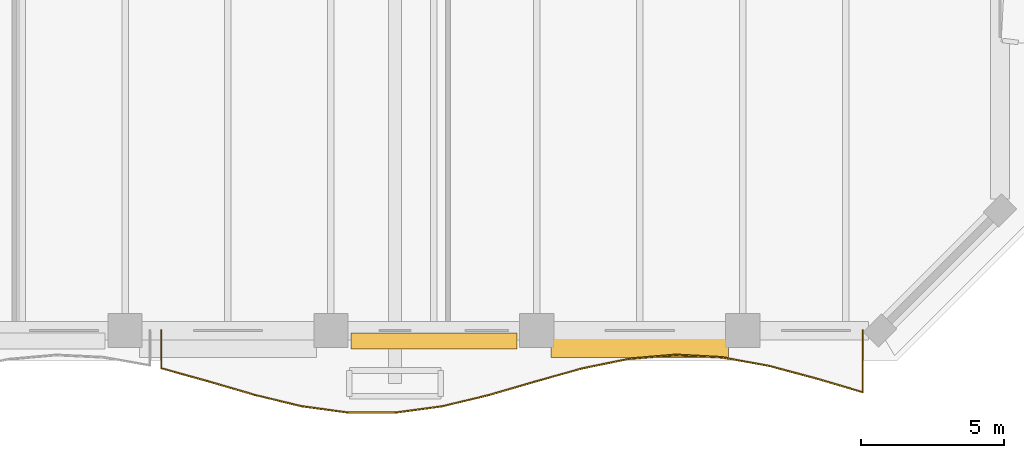
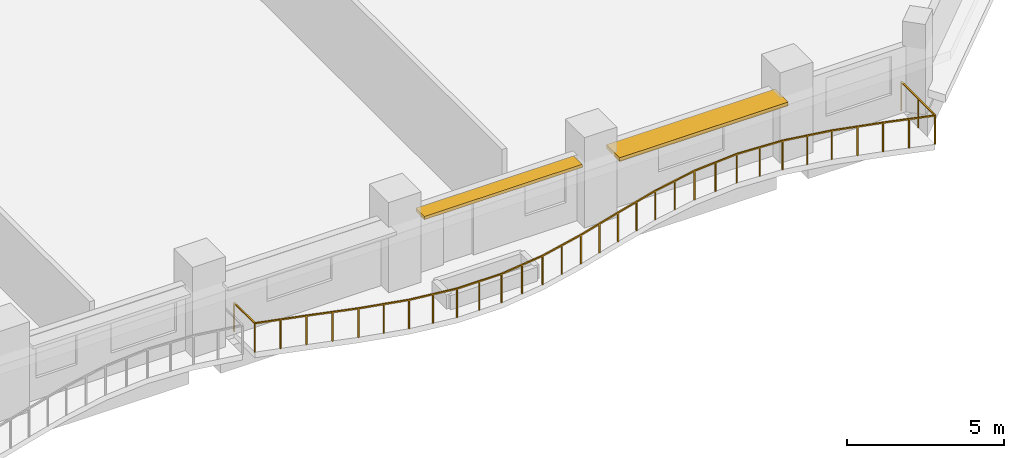
# One storey, part 13 of 14: 2 shading devices, 1 railing.
"""IFC4 building model written with IfcOpenShell, lengths in metres."""

from ifc_helpers import new_model, si_unit, direction, frame, origin, origin_2d, place, context, subcontext, project, spatial, rectangle, extrude, material, layer, layer_set, type_object, element, save


model = new_model("IFC4")

# Units and contexts
model_context = context("Model", 3, precision=1e-05, world=origin(), true_north=direction((0.0, 1.0)))
body_context = subcontext(model_context, "Body", "Model", "MODEL_VIEW")
ifc_project = project(units=[si_unit("LENGTHUNIT", "METRE"), si_unit("AREAUNIT", "SQUARE_METRE"), si_unit("VOLUMEUNIT", "CUBIC_METRE"), si_unit("PLANEANGLEUNIT", "RADIAN"), si_unit("MASSUNIT", "GRAM", prefix="KILO")], contexts=[model_context])

# Site, building, storey
site_placement = place(None, origin())
site = spatial("IfcSite", under=ifc_project, at=site_placement, CompositionType="ELEMENT")
building_placement = place(site_placement, origin())
building = spatial("IfcBuilding", under=site, at=building_placement, Name="Kaelvorn Grand Hotel", CompositionType="ELEMENT")
storey_placement = place(building_placement, frame((0.0, 0.0, 123.050048828125)))
storey = spatial("IfcBuildingStorey", under=building, at=storey_placement, Name="L29", CompositionType="ELEMENT", Elevation=123.050048828125)

# Railing
ifc_material_1 = material(Name="Stainless Steel", Category="steel")
railing_type = type_object("IfcRailingType", Name="RL-BALC-1150", PredefinedType="BALUSTRADE", material=ifc_material_1)
railing_placement = place(storey_placement, frame((54.666748046875, 0.0, 0.0)))
element("IfcRailing", 1, at=railing_placement, inside=storey, type_object=railing_type, Name="L29 Scalloped Wave Balcony Balustrade GR1-3", PredefinedType="BALUSTRADE", context=body_context, shape_type="SweptSolid", body=[
    extrude(rectangle(XDim=0.048095703125, YDim=0.048095703125, at=origin_2d()), frame((0.0, 0.0, 1.1259765625), z_axis=(0.0, -1.0, 0.0), x_axis=(1.0, 0.0, 0.0)), (0.0, 0.0, 1.0), 1.318359375),
    extrude(rectangle(XDim=0.048095703125, YDim=0.048095703125, at=origin_2d()), frame((0.0, -1.318359375, 1.1259765625), z_axis=(0.963251690304, -0.268600411627, 0.0), x_axis=(0.268600411627, 0.963251690304, 0.0)), (0.0, 0.0, 1.0), 1.697998046875),
    extrude(rectangle(XDim=0.048095703125, YDim=0.048095703125, at=origin_2d()), frame((1.635498046875, -1.7744140625, 1.1259765625), z_axis=(0.959763780104, -0.280808629498, 0.0), x_axis=(0.280808629498, 0.959763780104, 0.0)), (0.0, 0.0, 1.0), 1.7041015625),
    extrude(rectangle(XDim=0.048095703125, YDim=0.048095703125, at=origin_2d()), frame((3.27099609375, -2.2529296875, 1.1259765625), z_axis=(0.972148369978, -0.234366266236, 0.0), x_axis=(0.234366266236, 0.972148369978, 0.0)), (0.0, 0.0, 1.0), 1.682373046875),
    extrude(rectangle(XDim=0.048095703125, YDim=0.048095703125, at=origin_2d()), frame((4.906494140625, -2.647216796875, 1.1259765625), z_axis=(0.990842762627, -0.13502081228, 0.0), x_axis=(0.13502081228, 0.990842762627, 0.0)), (0.0, 0.0, 1.0), 1.65087890625),
    extrude(rectangle(XDim=0.048095703125, YDim=0.048095703125, at=origin_2d()), frame((6.542236328125, -2.8701171875, 1.1259765625), z_axis=(0.999999286934, -0.001194207239, 0.0), x_axis=(0.001194207239, 0.999999286934, 0.0)), (0.0, 0.0, 1.0), 1.635498046875),
    extrude(rectangle(XDim=0.048095703125, YDim=0.048095703125, at=origin_2d()), frame((8.177734375, -2.8720703125, 1.1259765625), z_axis=(0.991115126173, 0.133006791824, 0.0), x_axis=(-0.133006791824, 0.991115126173, 0.0)), (0.0, 0.0, 1.0), 1.650146484375),
    extrude(rectangle(XDim=0.048095703125, YDim=0.048095703125, at=origin_2d()), frame((9.813232421875, -2.652587890625, 1.1259765625), z_axis=(0.972412331171, 0.233268639527, 0.0), x_axis=(-0.233268639527, 0.972412331171, 0.0)), (0.0, 0.0, 1.0), 1.681884765625),
    extrude(rectangle(XDim=0.048095703125, YDim=0.048095703125, at=origin_2d()), frame((11.44873046875, -2.26025390625, 1.1259765625), z_axis=(0.959890814744, 0.280374078277, 0.0), x_axis=(-0.280374078277, 0.959890814744, 0.0)), (0.0, 0.0, 1.0), 1.7041015625),
    extrude(rectangle(XDim=0.048095703125, YDim=0.048095703125, at=origin_2d()), frame((13.08447265625, -1.782470703125, 1.1259765625), z_axis=(0.963065481096, 0.269267300506, 0.0), x_axis=(-0.269267300506, 0.963065481096, 0.0)), (0.0, 0.0, 1.0), 1.6982421875),
    extrude(rectangle(XDim=0.048095703125, YDim=0.048095703125, at=origin_2d()), frame((14.719970703125, -1.3251953125, 1.1259765625), z_axis=(0.979635901777, 0.200782220203, 0.0), x_axis=(-0.200782220203, 0.979635901777, 0.0)), (0.0, 0.0, 1.0), 1.66943359375),
    extrude(rectangle(XDim=0.048095703125, YDim=0.048095703125, at=origin_2d()), frame((16.35546875, -0.989990234375, 1.1259765625), z_axis=(0.996424697857, 0.084485628957, 0.0), x_axis=(-0.084485628957, 0.996424697857, 0.0)), (0.0, 0.0, 1.0), 1.641357421875),
    extrude(rectangle(XDim=0.048095703125, YDim=0.048095703125, at=origin_2d()), frame((17.990966796875, -0.851318359375, 1.1259765625), z_axis=(0.998527034958, -0.054256432412, 0.0), x_axis=(0.054256432412, 0.998527034958, 0.0)), (0.0, 0.0, 1.0), 1.637939453125),
    extrude(rectangle(XDim=0.048095703125, YDim=0.048095703125, at=origin_2d()), frame((19.62646484375, -0.940185546875, 1.1259765625), z_axis=(0.983977821186, -0.178290906704, 0.0), x_axis=(0.178290906704, 0.983977821186, 0.0)), (0.0, 0.0, 1.0), 1.662353515625),
    extrude(rectangle(XDim=0.048095703125, YDim=0.048095703125, at=origin_2d()), frame((21.26220703125, -1.236572265625, 1.1259765625), z_axis=(0.965925524936, -0.258820169766, 0.0), x_axis=(0.258820169766, 0.965925524936, 0.0)), (0.0, 0.0, 1.0), 1.693115234375),
    extrude(rectangle(XDim=0.048095703125, YDim=0.048095703125, at=origin_2d()), frame((22.897705078125, -1.6748046875, 1.1259765625), z_axis=(0.959105197492, -0.283049854522, 0.0), x_axis=(0.283049854522, 0.959105197492, 0.0)), (0.0, 0.0, 1.0), 1.705322265625),
    extrude(rectangle(XDim=0.048095703125, YDim=0.048095703125, at=origin_2d()), frame((24.533203125, -2.157470703125, 1.1259765625), z_axis=(0.0, 1.0, 0.0), x_axis=(-1.0, 0.0, 0.0)), (0.0, 0.0, 1.0), 2.157470703125),
    extrude(rectangle(XDim=0.0419921875, YDim=0.0419921875, at=origin_2d()), origin(), (0.0, 0.0, 1.0), 1.101806640625),
    extrude(rectangle(XDim=0.0419921875, YDim=0.0419921875, at=origin_2d()), frame((0.0, -1.318359375, 0.0)), (0.0, 0.0, 1.0), 1.101806640625),
    extrude(rectangle(XDim=0.0419921875, YDim=0.0419921875, at=origin_2d()), frame((0.81787109375, -1.54638671875, 0.0)), (0.0, 0.0, 1.0), 1.101806640625),
    extrude(rectangle(XDim=0.0419921875, YDim=0.0419921875, at=origin_2d()), frame((1.635498046875, -1.7744140625, 0.0)), (0.0, 0.0, 1.0), 1.101806640625),
    extrude(rectangle(XDim=0.0419921875, YDim=0.0419921875, at=origin_2d()), frame((2.453125, -2.013671875, 0.0)), (0.0, 0.0, 1.0), 1.101806640625),
    extrude(rectangle(XDim=0.0419921875, YDim=0.0419921875, at=origin_2d()), frame((3.27099609375, -2.2529296875, 0.0)), (0.0, 0.0, 1.0), 1.101806640625),
    extrude(rectangle(XDim=0.0419921875, YDim=0.0419921875, at=origin_2d()), frame((4.0888671875, -2.4501953125, 0.0)), (0.0, 0.0, 1.0), 1.101806640625),
    extrude(rectangle(XDim=0.0419921875, YDim=0.0419921875, at=origin_2d()), frame((4.906494140625, -2.647216796875, 0.0)), (0.0, 0.0, 1.0), 1.101806640625),
    extrude(rectangle(XDim=0.0419921875, YDim=0.0419921875, at=origin_2d()), frame((5.724365234375, -2.7587890625, 0.0)), (0.0, 0.0, 1.0), 1.101806640625),
    extrude(rectangle(XDim=0.0419921875, YDim=0.0419921875, at=origin_2d()), frame((6.542236328125, -2.8701171875, 0.0)), (0.0, 0.0, 1.0), 1.101806640625),
    extrude(rectangle(XDim=0.0419921875, YDim=0.0419921875, at=origin_2d()), frame((7.35986328125, -2.87109375, 0.0)), (0.0, 0.0, 1.0), 1.101806640625),
    extrude(rectangle(XDim=0.0419921875, YDim=0.0419921875, at=origin_2d()), frame((8.177734375, -2.8720703125, 0.0)), (0.0, 0.0, 1.0), 1.101806640625),
    extrude(rectangle(XDim=0.0419921875, YDim=0.0419921875, at=origin_2d()), frame((8.99560546875, -2.76220703125, 0.0)), (0.0, 0.0, 1.0), 1.101806640625),
    extrude(rectangle(XDim=0.0419921875, YDim=0.0419921875, at=origin_2d()), frame((9.813232421875, -2.652587890625, 0.0)), (0.0, 0.0, 1.0), 1.101806640625),
    extrude(rectangle(XDim=0.0419921875, YDim=0.0419921875, at=origin_2d()), frame((10.630859375, -2.45654296875, 0.0)), (0.0, 0.0, 1.0), 1.101806640625),
    extrude(rectangle(XDim=0.0419921875, YDim=0.0419921875, at=origin_2d()), frame((11.44873046875, -2.26025390625, 0.0)), (0.0, 0.0, 1.0), 1.101806640625),
    extrude(rectangle(XDim=0.0419921875, YDim=0.0419921875, at=origin_2d()), frame((12.2666015625, -2.021484375, 0.0)), (0.0, 0.0, 1.0), 1.101806640625),
    extrude(rectangle(XDim=0.0419921875, YDim=0.0419921875, at=origin_2d()), frame((13.08447265625, -1.782470703125, 0.0)), (0.0, 0.0, 1.0), 1.101806640625),
    extrude(rectangle(XDim=0.0419921875, YDim=0.0419921875, at=origin_2d()), frame((13.90234375, -1.5537109375, 0.0)), (0.0, 0.0, 1.0), 1.101806640625),
    extrude(rectangle(XDim=0.0419921875, YDim=0.0419921875, at=origin_2d()), frame((14.719970703125, -1.3251953125, 0.0)), (0.0, 0.0, 1.0), 1.101806640625),
    extrude(rectangle(XDim=0.0419921875, YDim=0.0419921875, at=origin_2d()), frame((15.53759765625, -1.15771484375, 0.0)), (0.0, 0.0, 1.0), 1.101806640625),
    extrude(rectangle(XDim=0.0419921875, YDim=0.0419921875, at=origin_2d()), frame((16.35546875, -0.989990234375, 0.0)), (0.0, 0.0, 1.0), 1.101806640625),
    extrude(rectangle(XDim=0.0419921875, YDim=0.0419921875, at=origin_2d()), frame((17.17333984375, -0.920654296875, 0.0)), (0.0, 0.0, 1.0), 1.101806640625),
    extrude(rectangle(XDim=0.0419921875, YDim=0.0419921875, at=origin_2d()), frame((17.990966796875, -0.851318359375, 0.0)), (0.0, 0.0, 1.0), 1.101806640625),
    extrude(rectangle(XDim=0.0419921875, YDim=0.0419921875, at=origin_2d()), frame((18.80859375, -0.895751953125, 0.0)), (0.0, 0.0, 1.0), 1.101806640625),
    extrude(rectangle(XDim=0.0419921875, YDim=0.0419921875, at=origin_2d()), frame((19.62646484375, -0.940185546875, 0.0)), (0.0, 0.0, 1.0), 1.101806640625),
    extrude(rectangle(XDim=0.0419921875, YDim=0.0419921875, at=origin_2d()), frame((20.4443359375, -1.08837890625, 0.0)), (0.0, 0.0, 1.0), 1.101806640625),
    extrude(rectangle(XDim=0.0419921875, YDim=0.0419921875, at=origin_2d()), frame((21.26220703125, -1.236572265625, 0.0)), (0.0, 0.0, 1.0), 1.101806640625),
    extrude(rectangle(XDim=0.0419921875, YDim=0.0419921875, at=origin_2d()), frame((22.080078125, -1.45556640625, 0.0)), (0.0, 0.0, 1.0), 1.101806640625),
    extrude(rectangle(XDim=0.0419921875, YDim=0.0419921875, at=origin_2d()), frame((22.897705078125, -1.6748046875, 0.0)), (0.0, 0.0, 1.0), 1.101806640625),
    extrude(rectangle(XDim=0.0419921875, YDim=0.0419921875, at=origin_2d()), frame((23.71533203125, -1.916015625, 0.0)), (0.0, 0.0, 1.0), 1.101806640625),
    extrude(rectangle(XDim=0.0419921875, YDim=0.0419921875, at=origin_2d()), frame((24.533203125, -2.157470703125, 0.0)), (0.0, 0.0, 1.0), 1.101806640625),
    extrude(rectangle(XDim=0.0419921875, YDim=0.0419921875, at=origin_2d()), frame((24.533203125, -1.07861328125, 0.0)), (0.0, 0.0, 1.0), 1.101806640625),
    extrude(rectangle(XDim=0.0419921875, YDim=0.0419921875, at=origin_2d()), frame((24.533203125, 0.0, 0.0)), (0.0, 0.0, 1.0), 1.101806640625),
])

# Shading devices
ifc_material_2 = material(Name="Precast concrete C45/55", Category="concrete")
ifc_layer_1 = layer(ifc_material_2, 0.1201171875)
ifc_layer_set_1 = layer_set([ifc_layer_1], Name="Precast concrete C45/55")
shading_device_type_1 = type_object("IfcShadingDeviceType", Name="SHD-SUNSHADE-550", PredefinedType="USERDEFINED", material=ifc_layer_set_1)
shading_device_1_placement = place(storey_placement, frame((64.199951171875, -0.364990234375, 2.419921875), z_axis=(0.0, 0.0, 1.0), x_axis=(1.0, 0.0, 0.0)))
element("IfcShadingDevice", 2, at=shading_device_1_placement, inside=storey, type_object=shading_device_type_1, Name="L29 Horizontal Concrete Sunshade Band SS-09", ObjectType="SUNSHADE", PredefinedType="USERDEFINED", context=body_context, shape_type="SweptSolid", body=[
    extrude(rectangle(XDim=5.800048828125, YDim=0.550048828125, at=origin_2d()), origin(), (0.0, 0.0, 1.0), 0.1201171875),
])
ifc_layer_2 = layer(ifc_material_2, 0.139892578125)
ifc_layer_set_2 = layer_set([ifc_layer_2], Name="Precast concrete C45/55")
shading_device_type_2 = type_object("IfcShadingDeviceType", Name="SHD-SUNSHADE-850", PredefinedType="USERDEFINED", material=ifc_layer_set_2)
shading_device_2_placement = place(storey_placement, frame((71.39990234375, -0.514892578125, 2.41015625), z_axis=(0.0, 0.0, 1.0), x_axis=(1.0, 0.0, 0.0)))
element("IfcShadingDevice", 3, at=shading_device_2_placement, inside=storey, type_object=shading_device_type_2, Name="L29 Horizontal Concrete Sunshade Band SS-10", ObjectType="SUNSHADE", PredefinedType="USERDEFINED", context=body_context, shape_type="SweptSolid", body=[
    extrude(rectangle(XDim=6.199951171875, YDim=0.85009765625, at=origin_2d()), origin(), (0.0, 0.0, 1.0), 0.139892578125),
])

save(model, "model.ifc")
